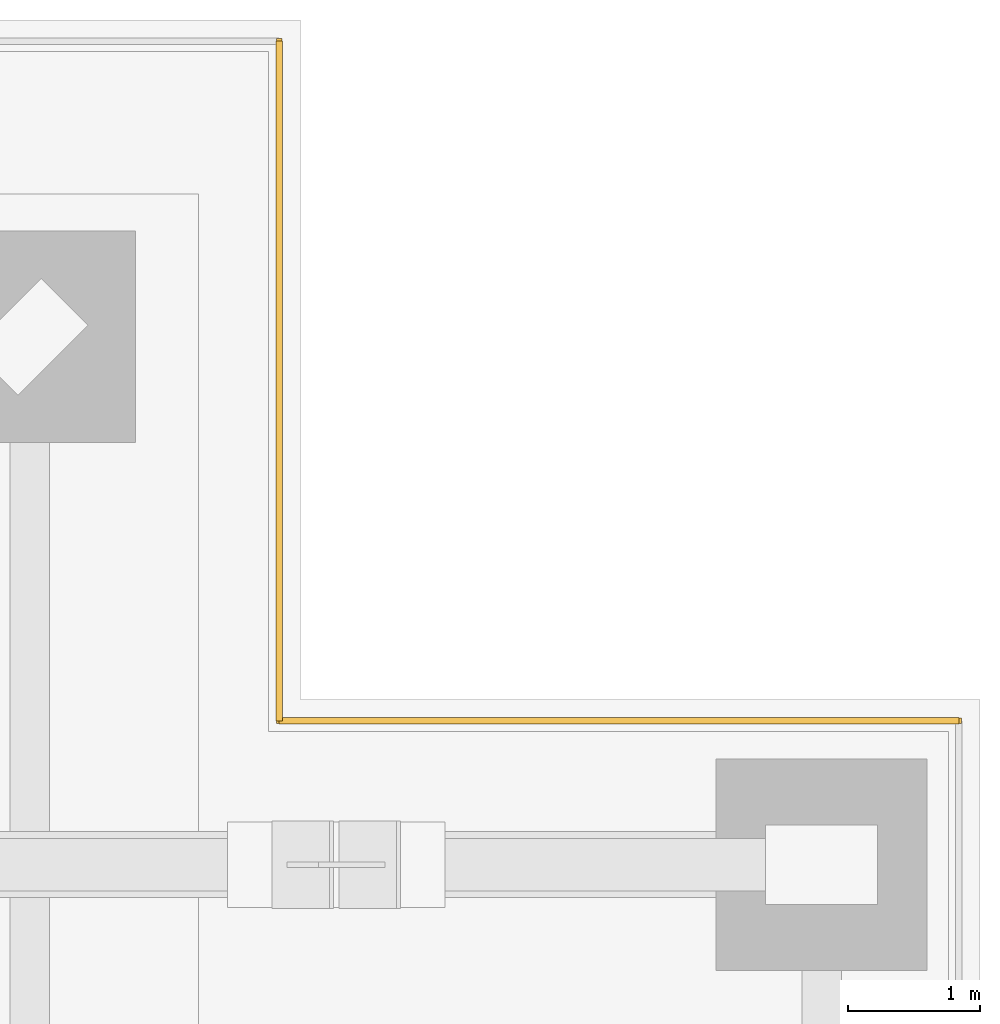
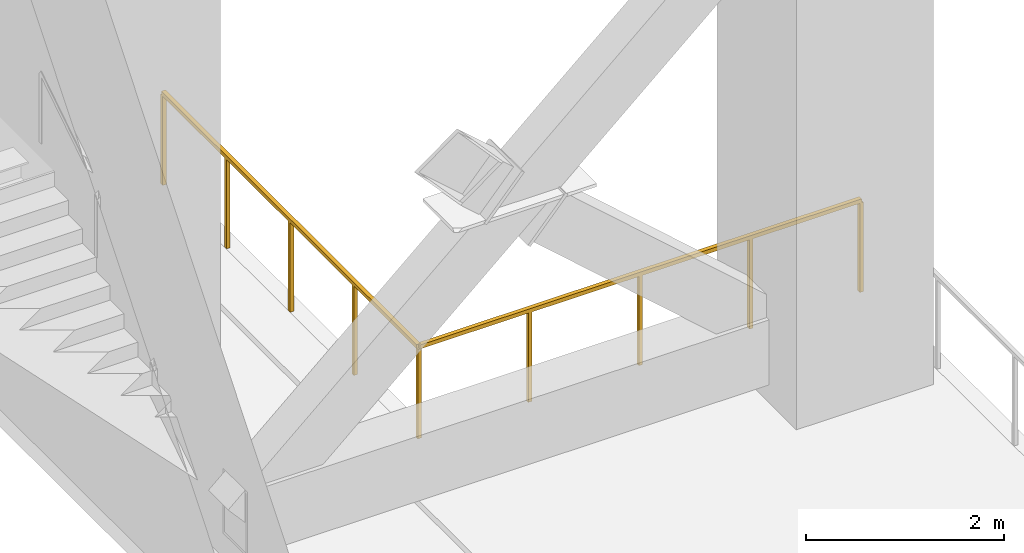
# One storey, part 7 of 8: 2 railings.
"""IFC4 building model written with IfcOpenShell, lengths in metres."""

from ifc_helpers import new_model, si_unit, direction, frame, origin, origin_2d, place, context, subcontext, project, spatial, rectangle, extrude, material, type_object, element, save


model = new_model("IFC4")

# Units and contexts
model_context = context("Model", 3, precision=1e-05, world=origin(), true_north=direction((0.0, 1.0)))
body_context = subcontext(model_context, "Body", "Model", "MODEL_VIEW")
ifc_project = project(units=[si_unit("LENGTHUNIT", "METRE"), si_unit("AREAUNIT", "SQUARE_METRE"), si_unit("VOLUMEUNIT", "CUBIC_METRE"), si_unit("PLANEANGLEUNIT", "RADIAN"), si_unit("MASSUNIT", "GRAM", prefix="KILO")], contexts=[model_context])

# Site, building, storey
site_placement = place(None, origin())
site = spatial("IfcSite", under=ifc_project, at=site_placement, CompositionType="ELEMENT")
building_placement = place(site_placement, origin())
building = spatial("IfcBuilding", under=site, at=building_placement, Name="Sumidabori Civic Tower", CompositionType="ELEMENT")
storey_placement = place(building_placement, frame((0.0, 0.0, 189.199951171875)))
storey = spatial("IfcBuildingStorey", under=building, at=storey_placement, Name="L49", CompositionType="ELEMENT", Elevation=189.199951171875)

# Railings
ifc_material = material(Name="Anodised Bronze Aluminium AW-6063-T6", Category="aluminium")
railing_type = type_object("IfcRailingType", Name="RL-BAL-1150", PredefinedType="BALUSTRADE", material=ifc_material)
railing_1_placement = place(storey_placement, frame((18.68994140625, 25.0400390625, 0.0)))
element("IfcRailing", 1, at=railing_1_placement, inside=storey, type_object=railing_type, Name="Wind-Slot Refuge Portal Safety Guard L49-07", PredefinedType="BALUSTRADE", context=body_context, shape_type="SweptSolid", body=[
    extrude(rectangle(XDim=0.048095703125, YDim=0.048095703125, at=origin_2d()), frame((0.0, 0.0, 1.1259765625), z_axis=(0.0, -1.0, 0.0), x_axis=(1.0, 0.0, 0.0)), (0.0, 0.0, 1.0), 5.150146484375),
    extrude(rectangle(XDim=0.0419921875, YDim=0.0419921875, at=origin_2d()), origin(), (0.0, 0.0, 1.0), 1.101806640625),
    extrude(rectangle(XDim=0.0419921875, YDim=0.0419921875, at=origin_2d()), frame((0.0, -1.28759765625, 0.0)), (0.0, 0.0, 1.0), 1.101806640625),
    extrude(rectangle(XDim=0.0419921875, YDim=0.0419921875, at=origin_2d()), frame((0.0, -2.5751953125, 0.0)), (0.0, 0.0, 1.0), 1.101806640625),
    extrude(rectangle(XDim=0.0419921875, YDim=0.0419921875, at=origin_2d()), frame((0.0, -3.862548828125, 0.0)), (0.0, 0.0, 1.0), 1.101806640625),
    extrude(rectangle(XDim=0.0419921875, YDim=0.0419921875, at=origin_2d()), frame((0.0, -5.150146484375, 0.0)), (0.0, 0.0, 1.0), 1.101806640625),
])
railing_2_placement = place(storey_placement, frame((18.68994140625, 19.889892578125, 0.0)))
element("IfcRailing", 2, at=railing_2_placement, inside=storey, type_object=railing_type, Name="Wind-Slot Refuge Portal Safety Guard L49-08", PredefinedType="BALUSTRADE", context=body_context, shape_type="SweptSolid", body=[
    extrude(rectangle(XDim=0.048095703125, YDim=0.048095703125, at=origin_2d()), frame((0.0, 0.0, 1.1259765625), z_axis=(1.0, 0.0, 0.0), x_axis=(0.0, 1.0, 0.0)), (0.0, 0.0, 1.0), 5.150146484375),
    extrude(rectangle(XDim=0.0419921875, YDim=0.0419921875, at=origin_2d()), origin(), (0.0, 0.0, 1.0), 1.101806640625),
    extrude(rectangle(XDim=0.0419921875, YDim=0.0419921875, at=origin_2d()), frame((1.28759765625, 0.0, 0.0)), (0.0, 0.0, 1.0), 1.101806640625),
    extrude(rectangle(XDim=0.0419921875, YDim=0.0419921875, at=origin_2d()), frame((2.5751953125, 0.0, 0.0)), (0.0, 0.0, 1.0), 1.101806640625),
    extrude(rectangle(XDim=0.0419921875, YDim=0.0419921875, at=origin_2d()), frame((3.862548828125, 0.0, 0.0)), (0.0, 0.0, 1.0), 1.101806640625),
    extrude(rectangle(XDim=0.0419921875, YDim=0.0419921875, at=origin_2d()), frame((5.150146484375, 0.0, 0.0)), (0.0, 0.0, 1.0), 1.101806640625),
])

save(model, "model.ifc")
